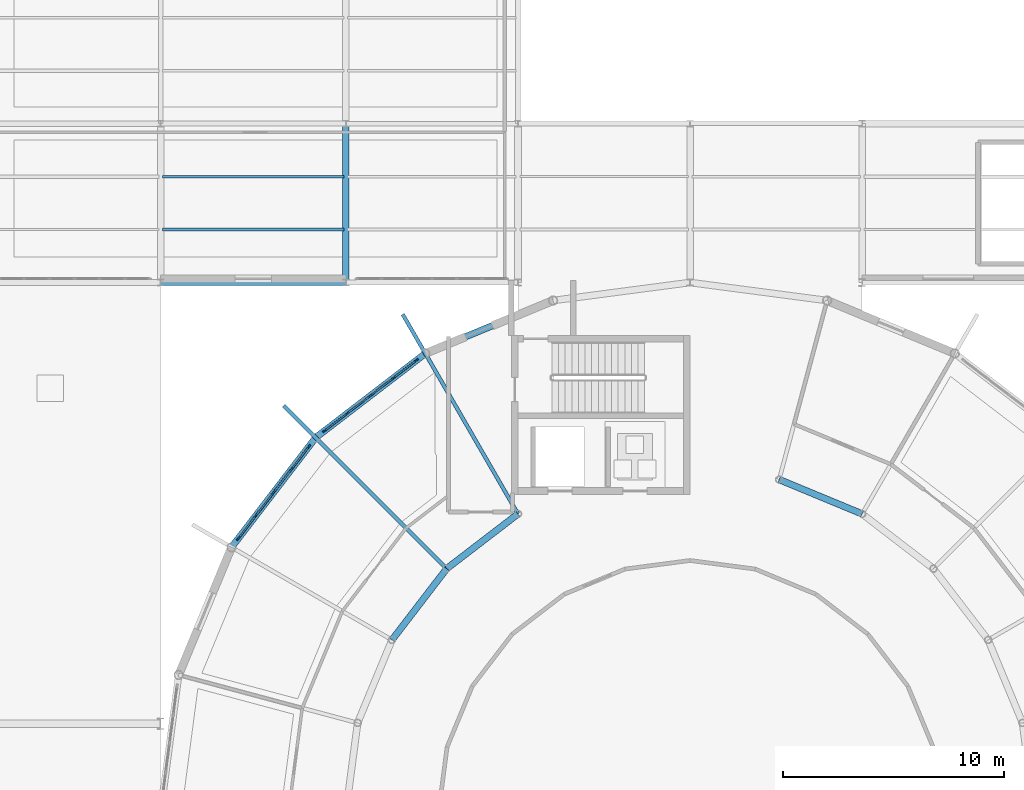
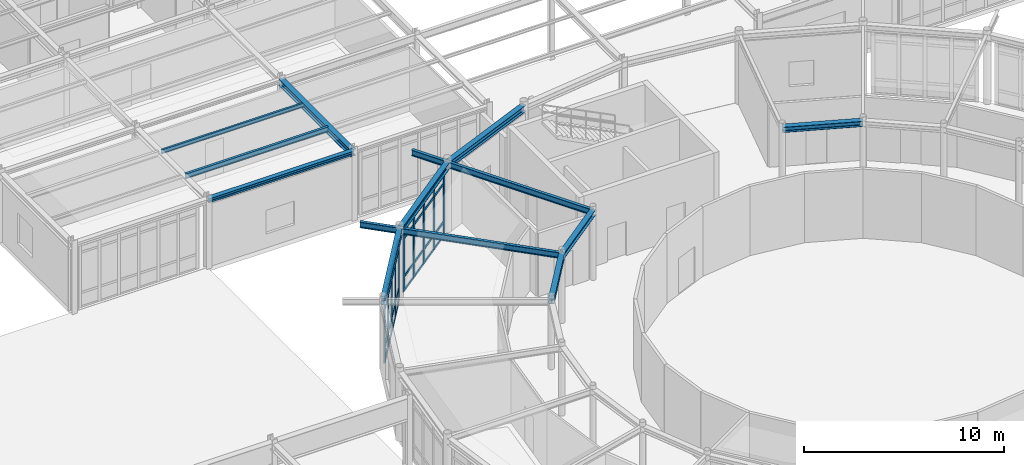
# One storey, part 44 of 101: 42 members, 12 beams, 2 elements without a shape of their own.
"""IFC4 building model written with IfcOpenShell, lengths in metres."""

from ifc_helpers import new_model, si_unit, derived_unit, direction, frame, origin, origin_2d, place, context, subcontext, project, spatial, rectangle, i_section, extrude, material, layer, layer_set, material_profile, profile_set, type_object, element, aggregate, save


model = new_model("IFC4")

# Units and contexts
model_context = context("Model", 3, precision=1e-05, world=origin(), true_north=direction((0.0, 1.0)))
body_context = subcontext(model_context, "Body", "Model", "MODEL_VIEW")
ifc_project = project(units=[si_unit("LENGTHUNIT", "METRE"), si_unit("AREAUNIT", "SQUARE_METRE"), si_unit("VOLUMEUNIT", "CUBIC_METRE"), si_unit("PLANEANGLEUNIT", "RADIAN"), si_unit("MASSUNIT", "GRAM", prefix="KILO"), derived_unit("THERMALTRANSMITTANCEUNIT", [(si_unit("POWERUNIT", "WATT"), 1), (si_unit("AREAUNIT", "SQUARE_METRE"), -1), (si_unit("THERMODYNAMICTEMPERATUREUNIT", "KELVIN"), -1)])], contexts=[model_context])

# Site, building, storey
site_placement = place(None, origin())
site = spatial("IfcSite", under=ifc_project, at=site_placement, CompositionType="ELEMENT")
building_placement = place(site_placement, origin())
building = spatial("IfcBuilding", under=site, at=building_placement, Name="Yasenodar Specialist Clinic", CompositionType="ELEMENT")
storey_placement = place(building_placement, origin())
storey = spatial("IfcBuildingStorey", under=building, at=storey_placement, Name="L00", CompositionType="ELEMENT", Elevation=0.0)

# Beams
ifc_material_1 = material(Name="Steel S355", Category="steel")
ifc_material_profile_1 = material_profile(ifc_material_1, i_section(OverallWidth=0.260009765625, OverallDepth=0.25, WebThickness=0.007568359375, FlangeThickness=0.012451171875, FilletRadius=0.02392578125, at=origin_2d()), Name="HEA 260")
ifc_profile_set_1 = profile_set([ifc_material_profile_1], Name="Steel S355")
beam_type_1 = type_object("IfcBeamType", Name="BM-HEA260", PredefinedType="BEAM", material=ifc_profile_set_1)
beam_1_placement = place(storey_placement, frame((57.0, 82.800048828125, 4.125), z_axis=(1.0, 0.0, 0.0), x_axis=(0.0, 1.0, 0.0)))
element("IfcBeam", 1, at=beam_1_placement, inside=storey, type_object=beam_type_1, Name="L00 Primary E-W Girder", PredefinedType="BEAM", context=body_context, shape_type="SweptSolid", body=[
    extrude(i_section(OverallWidth=0.260009765625, OverallDepth=0.25, WebThickness=0.007568359375, FlangeThickness=0.012451171875, FilletRadius=0.02392578125, at=origin_2d()), origin(), (0.0, 0.0, 1.0), 8.39990234375),
])
ifc_material_profile_2 = material_profile(ifc_material_1, i_section(OverallWidth=0.300048828125, OverallDepth=0.330078125, WebThickness=0.009521484375, FlangeThickness=0.0166015625, FilletRadius=0.027099609375, at=origin_2d()), Name="HEA 340")
ifc_profile_set_2 = profile_set([ifc_material_profile_2], Name="Steel S355")
beam_type_2 = type_object("IfcBeamType", Name="BM-HEA340", PredefinedType="BEAM", material=ifc_profile_set_2)
for number, where, z_axis, x_axis, name in (
    (2, (88.800048828125, 72.31005859375, 4.0849609375), (-0.92388896868, 0.382660650645, 0.0), (-0.382660650645, -0.92388896868, 0.0), "L00 Drum V1 Inner Ring Beam"),
    (3, (73.199951171875, 72.31005859375, 4.0849609375), (-0.793347704909, -0.608768773111, 0.0), (0.608768773111, -0.793347704909, 0.0), "L00 Drum V1 Inner Ring Beam"),
):
    element("IfcBeam", number, at=place(storey_placement, frame(where, z_axis=z_axis, x_axis=x_axis)), inside=storey, type_object=beam_type_2, Name=name, PredefinedType="BEAM", context=body_context, shape_type="SweptSolid", body=[
        extrude(i_section(OverallWidth=0.300048828125, OverallDepth=0.330078125, WebThickness=0.009521484375, FlangeThickness=0.0166015625, FilletRadius=0.027099609375, at=origin_2d()), origin(), (0.0, 0.0, 1.0), 4.072509765625),
    ])
beam_2_placement = place(storey_placement, frame((69.968994140625, 69.830810546875, 4.0849609375), z_axis=(-0.60875999388, -0.793354441502, 0.0), x_axis=(0.793354441502, -0.60875999388, 0.0)))
element("IfcBeam", 4, at=beam_2_placement, inside=storey, type_object=beam_type_2, Name="L00 Drum V1 Inner Ring Beam", PredefinedType="BEAM", context=body_context, shape_type="SweptSolid", body=[
    extrude(i_section(OverallWidth=0.300048828125, OverallDepth=0.330078125, WebThickness=0.009521484375, FlangeThickness=0.0166015625, FilletRadius=0.027099609375, at=origin_2d()), origin(), (0.0, 0.0, 1.0), 4.072265625),
])
ifc_material_profile_3 = material_profile(ifc_material_1, i_section(OverallWidth=0.300048828125, OverallDepth=0.389892578125, WebThickness=0.010986328125, FlangeThickness=0.01904296875, FilletRadius=0.027099609375, at=origin_2d()), Name="HEA 400")
ifc_profile_set_3 = profile_set([ifc_material_profile_3], Name="Steel S355")
beam_type_3 = type_object("IfcBeamType", Name="BM-HEA400", PredefinedType="BEAM", material=ifc_profile_set_3)
beam_3_placement = place(storey_placement, frame((74.788330078125, 81.982177734375, 4.054931640625), z_axis=(-0.9238876519, -0.382663829839, 0.0), x_axis=(0.382663829839, -0.9238876519, 0.0)))
element("IfcBeam", 5, at=beam_3_placement, inside=storey, type_object=beam_type_3, Name="L00 Drum V1 Perimeter Ring Beam", PredefinedType="BEAM", context=body_context, shape_type="SweptSolid", body=[
    extrude(i_section(OverallWidth=0.300048828125, OverallDepth=0.389892578125, WebThickness=0.010986328125, FlangeThickness=0.01904296875, FilletRadius=0.027099609375, at=origin_2d()), origin(), (0.0, 0.0, 1.0), 6.26513671875),
])
beam_4_placement = place(storey_placement, frame((69.0, 79.584716796875, 4.054931640625), z_axis=(-0.793349152542, -0.608766886551, 0.0), x_axis=(0.608766886551, -0.793349152542, 0.0)))
element("IfcBeam", 6, at=beam_4_placement, inside=storey, type_object=beam_type_3, Name="L00 Drum V1 Perimeter Ring Beam", PredefinedType="BEAM", context=body_context, shape_type="SweptSolid", body=[
    extrude(i_section(OverallWidth=0.300048828125, OverallDepth=0.389892578125, WebThickness=0.010986328125, FlangeThickness=0.01904296875, FilletRadius=0.027099609375, at=origin_2d()), origin(), (0.0, 0.0, 1.0), 6.265380859375),
])
beam_5_placement = place(storey_placement, frame((64.029296875, 75.7705078125, 4.054931640625), z_axis=(-0.608761180103, -0.793353531283, 0.0), x_axis=(0.793353531283, -0.608761180103, 0.0)))
element("IfcBeam", 7, at=beam_5_placement, inside=storey, type_object=beam_type_3, Name="L00 Drum V1 Perimeter Ring Beam", PredefinedType="BEAM", context=body_context, shape_type="SweptSolid", body=[
    extrude(i_section(OverallWidth=0.300048828125, OverallDepth=0.389892578125, WebThickness=0.010986328125, FlangeThickness=0.01904296875, FilletRadius=0.027099609375, at=origin_2d()), origin(), (0.0, 0.0, 1.0), 6.26513671875),
])
ifc_material_profile_4 = material_profile(ifc_material_1, i_section(OverallWidth=0.300048828125, OverallDepth=0.39990234375, WebThickness=0.013427734375, FlangeThickness=0.02392578125, FilletRadius=0.027099609375, at=origin_2d()), Name="HEB 400")
ifc_profile_set_4 = profile_set([ifc_material_profile_4], Name="Steel S355")
beam_type_4 = type_object("IfcBeamType", Name="BM-HEB400", PredefinedType="BEAM", material=ifc_profile_set_4)
beam_6_placement = place(storey_placement, frame((65.39990234375, 82.800048828125, 4.050048828125), z_axis=(0.0, 1.0, 0.0), x_axis=(-1.0, 0.0, 0.0)))
element("IfcBeam", 8, at=beam_6_placement, inside=storey, type_object=beam_type_4, Name="L00 Primary N-S Girder", PredefinedType="BEAM", context=body_context, shape_type="SweptSolid", body=[
    extrude(i_section(OverallWidth=0.300048828125, OverallDepth=0.39990234375, WebThickness=0.013427734375, FlangeThickness=0.02392578125, FilletRadius=0.027099609375, at=origin_2d()), origin(), (0.0, 0.0, 1.0), 7.199951171875),
])
ifc_material_profile_5 = material_profile(ifc_material_1, i_section(OverallWidth=0.169921875, OverallDepth=0.360107421875, WebThickness=0.008056640625, FlangeThickness=0.0126953125, FilletRadius=0.01806640625, at=origin_2d()), Name="IPE 360")
ifc_profile_set_5 = profile_set([ifc_material_profile_5], Name="Steel S355")
beam_type_5 = type_object("IfcBeamType", Name="BM-IPE360", PredefinedType="BEAM", material=ifc_profile_set_5)
for number, where, z_axis, x_axis, name in (
    (9, (73.199951171875, 72.31005859375, 4.070068359375), (-0.499986032603, 0.866033467715, 0.0), (-0.866033467715, -0.499986032603, 0.0), "L00 Drum V1 Radial Back-Spanned Cantilever Beam"),
    (10, (69.968994140625, 69.830810546875, 4.070068359375), (-0.707095099746, 0.707118462434, 0.0), (-0.707118462434, -0.707095099746, 0.0), "L00 Drum V1 Radial Back-Spanned Cantilever Beam"),
):
    element("IfcBeam", number, at=place(storey_placement, frame(where, z_axis=z_axis, x_axis=x_axis)), inside=storey, type_object=beam_type_5, Name=name, PredefinedType="BEAM", context=body_context, shape_type="SweptSolid", body=[
        extrude(i_section(OverallWidth=0.169921875, OverallDepth=0.360107421875, WebThickness=0.008056640625, FlangeThickness=0.0126953125, FilletRadius=0.01806640625, at=origin_2d()), origin(), (0.0, 0.0, 1.0), 10.449951171875),
    ])

# Curtain wall, members
ifc_material_2 = material(Name="Bronze Anodized Aluminium and Triple Low-E Glass", Category="aluminium")
ifc_layer = layer(ifc_material_2, 0.1669921875)
ifc_layer_set = layer_set([ifc_layer], Name="Bronze Anodized Aluminium and Triple Low-E Glass")
curtain_wall_type = type_object("IfcCurtainWallType", Name="CW-SYS-01", PredefinedType="USERDEFINED", material=ifc_layer_set)
curtain_wall_1_placement = place(storey_placement, origin())
curtain_wall_1 = element("IfcCurtainWall", 11, at=curtain_wall_1_placement, inside=storey, type_object=curtain_wall_type, Name="L00 Unitised Curtain Wall 004", ObjectType="UNITISED CURTAIN WALL", PredefinedType="USERDEFINED")
ifc_material_3 = material(Name="Bronze Anodized Aluminium", Category="aluminium")
ifc_material_profile_6 = material_profile(ifc_material_3, rectangle(XDim=0.070068359375, YDim=0.199951171875, at=origin_2d()), Name="CW-MULL 70x200")
ifc_profile_set_6 = profile_set([ifc_material_profile_6], Name="Bronze Anodized Aluminium")
member_type_1 = type_object("IfcMemberType", Name="CW-MULL-200", PredefinedType="MULLION", material=ifc_profile_set_6)
member_1_placement = place(storey_placement, frame((64.43798828125, 76.083984375, 0.0), z_axis=(0.0, 0.0, 1.0), x_axis=(-0.608752021844, 0.793360558574, 0.0)))
member_1 = element("IfcMember", 12, at=member_1_placement, type_object=member_type_1, Name="CW-01 mullion 1", PredefinedType="MULLION", context=body_context, shape_type="SweptSolid", body=[
    extrude(rectangle(XDim=0.070068359375, YDim=0.199951171875, at=origin_2d()), origin(), (0.0, 0.0, 1.0), 3.837890625),
])
member_2_placement = place(storey_placement, frame((65.46240234375, 76.8701171875, 0.0), z_axis=(0.0, 0.0, 1.0), x_axis=(-0.608752021844, 0.793360558574, 0.0)))
member_2 = element("IfcMember", 13, at=member_2_placement, type_object=member_type_1, Name="CW-01 mullion 2", PredefinedType="MULLION", context=body_context, shape_type="SweptSolid", body=[
    extrude(rectangle(XDim=0.070068359375, YDim=0.199951171875, at=origin_2d()), origin(), (0.0, 0.0, 1.0), 3.837890625),
])
member_3_placement = place(storey_placement, frame((66.5146484375, 77.677490234375, 0.0), z_axis=(0.0, 0.0, 1.0), x_axis=(-0.608752021844, 0.793360558574, 0.0)))
member_3 = element("IfcMember", 14, at=member_3_placement, type_object=member_type_1, Name="CW-01 mullion 3", PredefinedType="MULLION", context=body_context, shape_type="SweptSolid", body=[
    extrude(rectangle(XDim=0.070068359375, YDim=0.199951171875, at=origin_2d()), origin(), (0.0, 0.0, 1.0), 3.837890625),
])
member_4_placement = place(storey_placement, frame((67.56689453125, 78.485107421875, 0.0), z_axis=(0.0, 0.0, 1.0), x_axis=(-0.608752021844, 0.793360558574, 0.0)))
member_4 = element("IfcMember", 15, at=member_4_placement, type_object=member_type_1, Name="CW-01 mullion 4", PredefinedType="MULLION", context=body_context, shape_type="SweptSolid", body=[
    extrude(rectangle(XDim=0.070068359375, YDim=0.199951171875, at=origin_2d()), origin(), (0.0, 0.0, 1.0), 3.837890625),
])
member_5_placement = place(storey_placement, frame((68.591552734375, 79.27099609375, 0.0), z_axis=(0.0, 0.0, 1.0), x_axis=(-0.608752021844, 0.793360558574, 0.0)))
member_5 = element("IfcMember", 16, at=member_5_placement, type_object=member_type_1, Name="CW-01 mullion 5", PredefinedType="MULLION", context=body_context, shape_type="SweptSolid", body=[
    extrude(rectangle(XDim=0.070068359375, YDim=0.199951171875, at=origin_2d()), origin(), (0.0, 0.0, 1.0), 3.837890625),
])

curtain_wall_2_placement = place(storey_placement, origin())
curtain_wall_2 = element("IfcCurtainWall", 17, at=curtain_wall_2_placement, inside=storey, type_object=curtain_wall_type, Name="L00 Unitised Curtain Wall 005", ObjectType="UNITISED CURTAIN WALL", PredefinedType="USERDEFINED")
ifc_material_profile_7 = material_profile(ifc_material_3, rectangle(XDim=0.074951171875, YDim=0.22509765625, at=origin_2d()), Name="CW-MULL 75x225")
ifc_profile_set_7 = profile_set([ifc_material_profile_7], Name="Bronze Anodized Aluminium")
member_type_2 = type_object("IfcMemberType", Name="CW-MULL-225", PredefinedType="MULLION", material=ifc_profile_set_7)
member_6_placement = place(storey_placement, frame((60.530517578125, 71.21044921875, 0.0), z_axis=(0.0, 0.0, 1.0), x_axis=(-0.793360558574, 0.608752021844, 0.0)))
member_6 = element("IfcMember", 18, at=member_6_placement, type_object=member_type_2, Name="CW-01 mullion 1", PredefinedType="MULLION", context=body_context, shape_type="SweptSolid", body=[
    extrude(rectangle(XDim=0.074951171875, YDim=0.22509765625, at=origin_2d()), origin(), (0.0, 0.0, 1.0), 3.837890625),
])
member_7_placement = place(storey_placement, frame((61.31494140625, 72.233154296875, 0.0), z_axis=(0.0, 0.0, 1.0), x_axis=(-0.793360558574, 0.608752021844, 0.0)))
member_7 = element("IfcMember", 19, at=member_7_placement, type_object=member_type_2, Name="CW-01 mullion 2", PredefinedType="MULLION", context=body_context, shape_type="SweptSolid", body=[
    extrude(rectangle(XDim=0.074951171875, YDim=0.22509765625, at=origin_2d()), origin(), (0.0, 0.0, 1.0), 3.837890625),
])
member_8_placement = place(storey_placement, frame((62.122314453125, 73.285400390625, 0.0), z_axis=(0.0, 0.0, 1.0), x_axis=(-0.793360558574, 0.608752021844, 0.0)))
member_8 = element("IfcMember", 20, at=member_8_placement, type_object=member_type_2, Name="CW-01 mullion 3", PredefinedType="MULLION", context=body_context, shape_type="SweptSolid", body=[
    extrude(rectangle(XDim=0.074951171875, YDim=0.22509765625, at=origin_2d()), origin(), (0.0, 0.0, 1.0), 3.837890625),
])
member_9_placement = place(storey_placement, frame((62.9296875, 74.337646484375, 0.0), z_axis=(0.0, 0.0, 1.0), x_axis=(-0.793360558574, 0.608752021844, 0.0)))
member_9 = element("IfcMember", 21, at=member_9_placement, type_object=member_type_2, Name="CW-01 mullion 4", PredefinedType="MULLION", context=body_context, shape_type="SweptSolid", body=[
    extrude(rectangle(XDim=0.074951171875, YDim=0.22509765625, at=origin_2d()), origin(), (0.0, 0.0, 1.0), 3.837890625),
])
member_10_placement = place(storey_placement, frame((63.71435546875, 75.360107421875, 0.0), z_axis=(0.0, 0.0, 1.0), x_axis=(-0.793360558574, 0.608752021844, 0.0)))
member_10 = element("IfcMember", 22, at=member_10_placement, type_object=member_type_2, Name="CW-01 mullion 5", PredefinedType="MULLION", context=body_context, shape_type="SweptSolid", body=[
    extrude(rectangle(XDim=0.074951171875, YDim=0.22509765625, at=origin_2d()), origin(), (0.0, 0.0, 1.0), 3.837890625),
])

# Member
ifc_material_profile_8 = material_profile(ifc_material_3, rectangle(XDim=0.070068359375, YDim=0.14990234375, at=origin_2d()), Name="CW-TRAN 70x150")
ifc_profile_set_8 = profile_set([ifc_material_profile_8], Name="Bronze Anodized Aluminium")
member_type_3 = type_object("IfcMemberType", Name="CW-TRAN-150", PredefinedType="USERDEFINED", material=ifc_profile_set_8)
member_11_placement = place(storey_placement, frame((64.4658203125, 76.10546875, 0.034912109375), z_axis=(0.793329536598, 0.60879244933, 0.0), x_axis=(-0.60879244933, 0.793329536598, 0.0)))
member_11 = element("IfcMember", 23, at=member_11_placement, type_object=member_type_3, Name="CW-01 transom 1.1", ObjectType="TRANSOM", PredefinedType="USERDEFINED", context=body_context, shape_type="SweptSolid", body=[
    extrude(rectangle(XDim=0.070068359375, YDim=0.14990234375, at=origin_2d()), origin(), (0.0, 0.0, 1.0), 1.22119140625),
])

member_12_placement = place(storey_placement, frame((64.4658203125, 76.10546875, 0.89990234375), z_axis=(0.793329536598, 0.60879244933, 0.0), x_axis=(-0.60879244933, 0.793329536598, 0.0)))
member_12 = element("IfcMember", 24, at=member_12_placement, type_object=member_type_3, Name="CW-01 transom 1.2", ObjectType="TRANSOM", PredefinedType="USERDEFINED", context=body_context, shape_type="SweptSolid", body=[
    extrude(rectangle(XDim=0.070068359375, YDim=0.14990234375, at=origin_2d()), origin(), (0.0, 0.0, 1.0), 1.22119140625),
])

member_13_placement = place(storey_placement, frame((64.4658203125, 76.10546875, 3.238037109375), z_axis=(0.793329536598, 0.60879244933, 0.0), x_axis=(-0.60879244933, 0.793329536598, 0.0)))
member_13 = element("IfcMember", 25, at=member_13_placement, type_object=member_type_3, Name="CW-01 transom 1.3", ObjectType="TRANSOM", PredefinedType="USERDEFINED", context=body_context, shape_type="SweptSolid", body=[
    extrude(rectangle(XDim=0.070068359375, YDim=0.14990234375, at=origin_2d()), origin(), (0.0, 0.0, 1.0), 1.22119140625),
])

member_14_placement = place(storey_placement, frame((64.4658203125, 76.10546875, 3.802978515625), z_axis=(0.793329536598, 0.60879244933, 0.0), x_axis=(-0.60879244933, 0.793329536598, 0.0)))
member_14 = element("IfcMember", 26, at=member_14_placement, type_object=member_type_3, Name="CW-01 transom 1.4", ObjectType="TRANSOM", PredefinedType="USERDEFINED", context=body_context, shape_type="SweptSolid", body=[
    extrude(rectangle(XDim=0.070068359375, YDim=0.14990234375, at=origin_2d()), origin(), (0.0, 0.0, 1.0), 1.22119140625),
])

member_15_placement = place(storey_placement, frame((65.490234375, 76.8916015625, 0.034912109375), z_axis=(0.793374813585, 0.608733443446, 0.0), x_axis=(-0.608733443446, 0.793374813585, 0.0)))
member_15 = element("IfcMember", 27, at=member_15_placement, type_object=member_type_3, Name="CW-01 transom 2.1", ObjectType="TRANSOM", PredefinedType="USERDEFINED", context=body_context, shape_type="SweptSolid", body=[
    extrude(rectangle(XDim=0.070068359375, YDim=0.14990234375, at=origin_2d()), origin(), (0.0, 0.0, 1.0), 1.256103515625),
])

member_16_placement = place(storey_placement, frame((65.490234375, 76.8916015625, 0.89990234375), z_axis=(0.793374813585, 0.608733443446, 0.0), x_axis=(-0.608733443446, 0.793374813585, 0.0)))
member_16 = element("IfcMember", 28, at=member_16_placement, type_object=member_type_3, Name="CW-01 transom 2.2", ObjectType="TRANSOM", PredefinedType="USERDEFINED", context=body_context, shape_type="SweptSolid", body=[
    extrude(rectangle(XDim=0.070068359375, YDim=0.14990234375, at=origin_2d()), origin(), (0.0, 0.0, 1.0), 1.256103515625),
])

member_17_placement = place(storey_placement, frame((65.490234375, 76.8916015625, 3.238037109375), z_axis=(0.793374813585, 0.608733443446, 0.0), x_axis=(-0.608733443446, 0.793374813585, 0.0)))
member_17 = element("IfcMember", 29, at=member_17_placement, type_object=member_type_3, Name="CW-01 transom 2.3", ObjectType="TRANSOM", PredefinedType="USERDEFINED", context=body_context, shape_type="SweptSolid", body=[
    extrude(rectangle(XDim=0.070068359375, YDim=0.14990234375, at=origin_2d()), origin(), (0.0, 0.0, 1.0), 1.256103515625),
])

member_18_placement = place(storey_placement, frame((65.490234375, 76.8916015625, 3.802978515625), z_axis=(0.793374813585, 0.608733443446, 0.0), x_axis=(-0.608733443446, 0.793374813585, 0.0)))
member_18 = element("IfcMember", 30, at=member_18_placement, type_object=member_type_3, Name="CW-01 transom 2.4", ObjectType="TRANSOM", PredefinedType="USERDEFINED", context=body_context, shape_type="SweptSolid", body=[
    extrude(rectangle(XDim=0.070068359375, YDim=0.14990234375, at=origin_2d()), origin(), (0.0, 0.0, 1.0), 1.256103515625),
])

member_19_placement = place(storey_placement, frame((66.54248046875, 77.698974609375, 0.034912109375), z_axis=(0.793374813585, 0.608733443446, 0.0), x_axis=(-0.608733443446, 0.793374813585, 0.0)))
member_19 = element("IfcMember", 31, at=member_19_placement, type_object=member_type_3, Name="CW-01 transom 3.1", ObjectType="TRANSOM", PredefinedType="USERDEFINED", context=body_context, shape_type="SweptSolid", body=[
    extrude(rectangle(XDim=0.070068359375, YDim=0.14990234375, at=origin_2d()), origin(), (0.0, 0.0, 1.0), 1.256103515625),
])

member_20_placement = place(storey_placement, frame((66.54248046875, 77.698974609375, 0.89990234375), z_axis=(0.793374813585, 0.608733443446, 0.0), x_axis=(-0.608733443446, 0.793374813585, 0.0)))
member_20 = element("IfcMember", 32, at=member_20_placement, type_object=member_type_3, Name="CW-01 transom 3.2", ObjectType="TRANSOM", PredefinedType="USERDEFINED", context=body_context, shape_type="SweptSolid", body=[
    extrude(rectangle(XDim=0.070068359375, YDim=0.14990234375, at=origin_2d()), origin(), (0.0, 0.0, 1.0), 1.256103515625),
])

member_21_placement = place(storey_placement, frame((66.54248046875, 77.698974609375, 3.238037109375), z_axis=(0.793374813585, 0.608733443446, 0.0), x_axis=(-0.608733443446, 0.793374813585, 0.0)))
member_21 = element("IfcMember", 33, at=member_21_placement, type_object=member_type_3, Name="CW-01 transom 3.3", ObjectType="TRANSOM", PredefinedType="USERDEFINED", context=body_context, shape_type="SweptSolid", body=[
    extrude(rectangle(XDim=0.070068359375, YDim=0.14990234375, at=origin_2d()), origin(), (0.0, 0.0, 1.0), 1.256103515625),
])

member_22_placement = place(storey_placement, frame((66.54248046875, 77.698974609375, 3.802978515625), z_axis=(0.793374813585, 0.608733443446, 0.0), x_axis=(-0.608733443446, 0.793374813585, 0.0)))
member_22 = element("IfcMember", 34, at=member_22_placement, type_object=member_type_3, Name="CW-01 transom 3.4", ObjectType="TRANSOM", PredefinedType="USERDEFINED", context=body_context, shape_type="SweptSolid", body=[
    extrude(rectangle(XDim=0.070068359375, YDim=0.14990234375, at=origin_2d()), origin(), (0.0, 0.0, 1.0), 1.256103515625),
])

member_23_placement = place(storey_placement, frame((67.5947265625, 78.50634765625, 0.034912109375), z_axis=(0.793403619358, 0.608695898449, 0.0), x_axis=(-0.608695898449, 0.793403619358, 0.0)))
member_23 = element("IfcMember", 35, at=member_23_placement, type_object=member_type_3, Name="CW-01 transom 4.1", ObjectType="TRANSOM", PredefinedType="USERDEFINED", context=body_context, shape_type="SweptSolid", body=[
    extrude(rectangle(XDim=0.070068359375, YDim=0.14990234375, at=origin_2d()), origin(), (0.0, 0.0, 1.0), 1.22119140625),
])

member_24_placement = place(storey_placement, frame((67.5947265625, 78.50634765625, 0.89990234375), z_axis=(0.793403619358, 0.608695898449, 0.0), x_axis=(-0.608695898449, 0.793403619358, 0.0)))
member_24 = element("IfcMember", 36, at=member_24_placement, type_object=member_type_3, Name="CW-01 transom 4.2", ObjectType="TRANSOM", PredefinedType="USERDEFINED", context=body_context, shape_type="SweptSolid", body=[
    extrude(rectangle(XDim=0.070068359375, YDim=0.14990234375, at=origin_2d()), origin(), (0.0, 0.0, 1.0), 1.22119140625),
])

member_25_placement = place(storey_placement, frame((67.5947265625, 78.50634765625, 3.238037109375), z_axis=(0.793403619358, 0.608695898449, 0.0), x_axis=(-0.608695898449, 0.793403619358, 0.0)))
member_25 = element("IfcMember", 37, at=member_25_placement, type_object=member_type_3, Name="CW-01 transom 4.3", ObjectType="TRANSOM", PredefinedType="USERDEFINED", context=body_context, shape_type="SweptSolid", body=[
    extrude(rectangle(XDim=0.070068359375, YDim=0.14990234375, at=origin_2d()), origin(), (0.0, 0.0, 1.0), 1.22119140625),
])

member_26_placement = place(storey_placement, frame((67.5947265625, 78.50634765625, 3.802978515625), z_axis=(0.793403619358, 0.608695898449, 0.0), x_axis=(-0.608695898449, 0.793403619358, 0.0)))
member_26 = element("IfcMember", 38, at=member_26_placement, type_object=member_type_3, Name="CW-01 transom 4.4", ObjectType="TRANSOM", PredefinedType="USERDEFINED", context=body_context, shape_type="SweptSolid", body=[
    extrude(rectangle(XDim=0.070068359375, YDim=0.14990234375, at=origin_2d()), origin(), (0.0, 0.0, 1.0), 1.22119140625),
])

aggregate(curtain_wall_1, [member_1, member_2, member_3, member_4, member_5, member_11, member_12, member_13, member_14, member_15, member_16, member_17, member_18, member_19, member_20, member_21, member_22, member_23, member_24, member_25, member_26])

ifc_material_profile_9 = material_profile(ifc_material_3, rectangle(XDim=0.074951171875, YDim=0.175048828125, at=origin_2d()), Name="CW-TRAN 75x175")
ifc_profile_set_9 = profile_set([ifc_material_profile_9], Name="Bronze Anodized Aluminium")
member_type_4 = type_object("IfcMemberType", Name="CW-TRAN-175", PredefinedType="USERDEFINED", material=ifc_profile_set_9)
member_27_placement = place(storey_placement, frame((60.55322265625, 71.240234375, 0.03759765625), z_axis=(0.608748142328, 0.793363535343, 0.0), x_axis=(-0.793363535343, 0.608748142328, 0.0)))
member_27 = element("IfcMember", 39, at=member_27_placement, type_object=member_type_4, Name="CW-01 transom 1.1", ObjectType="TRANSOM", PredefinedType="USERDEFINED", context=body_context, shape_type="SweptSolid", body=[
    extrude(rectangle(XDim=0.074951171875, YDim=0.175048828125, at=origin_2d()), origin(), (0.0, 0.0, 1.0), 1.2138671875),
])

member_28_placement = place(storey_placement, frame((60.55322265625, 71.240234375, 0.89990234375), z_axis=(0.608748142328, 0.793363535343, 0.0), x_axis=(-0.793363535343, 0.608748142328, 0.0)))
member_28 = element("IfcMember", 40, at=member_28_placement, type_object=member_type_4, Name="CW-01 transom 1.2", ObjectType="TRANSOM", PredefinedType="USERDEFINED", context=body_context, shape_type="SweptSolid", body=[
    extrude(rectangle(XDim=0.074951171875, YDim=0.175048828125, at=origin_2d()), origin(), (0.0, 0.0, 1.0), 1.2138671875),
])

member_29_placement = place(storey_placement, frame((60.55322265625, 71.240234375, 3.238037109375), z_axis=(0.608748142328, 0.793363535343, 0.0), x_axis=(-0.793363535343, 0.608748142328, 0.0)))
member_29 = element("IfcMember", 41, at=member_29_placement, type_object=member_type_4, Name="CW-01 transom 1.3", ObjectType="TRANSOM", PredefinedType="USERDEFINED", context=body_context, shape_type="SweptSolid", body=[
    extrude(rectangle(XDim=0.074951171875, YDim=0.175048828125, at=origin_2d()), origin(), (0.0, 0.0, 1.0), 1.2138671875),
])

member_30_placement = place(storey_placement, frame((60.55322265625, 71.240234375, 3.800537109375), z_axis=(0.608748142328, 0.793363535343, 0.0), x_axis=(-0.793363535343, 0.608748142328, 0.0)))
member_30 = element("IfcMember", 42, at=member_30_placement, type_object=member_type_4, Name="CW-01 transom 1.4", ObjectType="TRANSOM", PredefinedType="USERDEFINED", context=body_context, shape_type="SweptSolid", body=[
    extrude(rectangle(XDim=0.074951171875, YDim=0.175048828125, at=origin_2d()), origin(), (0.0, 0.0, 1.0), 1.2138671875),
])

member_31_placement = place(storey_placement, frame((61.337890625, 72.2626953125, 0.03759765625), z_axis=(0.608673156435, 0.793421066417, 0.0), x_axis=(-0.793421066417, 0.608673156435, 0.0)))
member_31 = element("IfcMember", 43, at=member_31_placement, type_object=member_type_4, Name="CW-01 transom 2.1", ObjectType="TRANSOM", PredefinedType="USERDEFINED", context=body_context, shape_type="SweptSolid", body=[
    extrude(rectangle(XDim=0.074951171875, YDim=0.175048828125, at=origin_2d()), origin(), (0.0, 0.0, 1.0), 1.25146484375),
])

member_32_placement = place(storey_placement, frame((61.337890625, 72.2626953125, 0.89990234375), z_axis=(0.608673156435, 0.793421066417, 0.0), x_axis=(-0.793421066417, 0.608673156435, 0.0)))
member_32 = element("IfcMember", 44, at=member_32_placement, type_object=member_type_4, Name="CW-01 transom 2.2", ObjectType="TRANSOM", PredefinedType="USERDEFINED", context=body_context, shape_type="SweptSolid", body=[
    extrude(rectangle(XDim=0.074951171875, YDim=0.175048828125, at=origin_2d()), origin(), (0.0, 0.0, 1.0), 1.25146484375),
])

member_33_placement = place(storey_placement, frame((61.337890625, 72.2626953125, 3.238037109375), z_axis=(0.608673156435, 0.793421066417, 0.0), x_axis=(-0.793421066417, 0.608673156435, 0.0)))
member_33 = element("IfcMember", 45, at=member_33_placement, type_object=member_type_4, Name="CW-01 transom 2.3", ObjectType="TRANSOM", PredefinedType="USERDEFINED", context=body_context, shape_type="SweptSolid", body=[
    extrude(rectangle(XDim=0.074951171875, YDim=0.175048828125, at=origin_2d()), origin(), (0.0, 0.0, 1.0), 1.25146484375),
])

member_34_placement = place(storey_placement, frame((61.337890625, 72.2626953125, 3.800537109375), z_axis=(0.608673156435, 0.793421066417, 0.0), x_axis=(-0.793421066417, 0.608673156435, 0.0)))
member_34 = element("IfcMember", 46, at=member_34_placement, type_object=member_type_4, Name="CW-01 transom 2.4", ObjectType="TRANSOM", PredefinedType="USERDEFINED", context=body_context, shape_type="SweptSolid", body=[
    extrude(rectangle(XDim=0.074951171875, YDim=0.175048828125, at=origin_2d()), origin(), (0.0, 0.0, 1.0), 1.25146484375),
])

member_35_placement = place(storey_placement, frame((62.145263671875, 73.31494140625, 0.03759765625), z_axis=(0.608673156435, 0.793421066417, 0.0), x_axis=(-0.793421066417, 0.608673156435, 0.0)))
member_35 = element("IfcMember", 47, at=member_35_placement, type_object=member_type_4, Name="CW-01 transom 3.1", ObjectType="TRANSOM", PredefinedType="USERDEFINED", context=body_context, shape_type="SweptSolid", body=[
    extrude(rectangle(XDim=0.074951171875, YDim=0.175048828125, at=origin_2d()), origin(), (0.0, 0.0, 1.0), 1.25146484375),
])

member_36_placement = place(storey_placement, frame((62.145263671875, 73.31494140625, 0.89990234375), z_axis=(0.608673156435, 0.793421066417, 0.0), x_axis=(-0.793421066417, 0.608673156435, 0.0)))
member_36 = element("IfcMember", 48, at=member_36_placement, type_object=member_type_4, Name="CW-01 transom 3.2", ObjectType="TRANSOM", PredefinedType="USERDEFINED", context=body_context, shape_type="SweptSolid", body=[
    extrude(rectangle(XDim=0.074951171875, YDim=0.175048828125, at=origin_2d()), origin(), (0.0, 0.0, 1.0), 1.25146484375),
])

member_37_placement = place(storey_placement, frame((62.145263671875, 73.31494140625, 3.238037109375), z_axis=(0.608673156435, 0.793421066417, 0.0), x_axis=(-0.793421066417, 0.608673156435, 0.0)))
member_37 = element("IfcMember", 49, at=member_37_placement, type_object=member_type_4, Name="CW-01 transom 3.3", ObjectType="TRANSOM", PredefinedType="USERDEFINED", context=body_context, shape_type="SweptSolid", body=[
    extrude(rectangle(XDim=0.074951171875, YDim=0.175048828125, at=origin_2d()), origin(), (0.0, 0.0, 1.0), 1.25146484375),
])

member_38_placement = place(storey_placement, frame((62.145263671875, 73.31494140625, 3.800537109375), z_axis=(0.608673156435, 0.793421066417, 0.0), x_axis=(-0.793421066417, 0.608673156435, 0.0)))
member_38 = element("IfcMember", 50, at=member_38_placement, type_object=member_type_4, Name="CW-01 transom 3.4", ObjectType="TRANSOM", PredefinedType="USERDEFINED", context=body_context, shape_type="SweptSolid", body=[
    extrude(rectangle(XDim=0.074951171875, YDim=0.175048828125, at=origin_2d()), origin(), (0.0, 0.0, 1.0), 1.25146484375),
])

member_39_placement = place(storey_placement, frame((62.95263671875, 74.3671875, 0.03759765625), z_axis=(0.608748142328, 0.793363535343, 0.0), x_axis=(-0.793363535343, 0.608748142328, 0.0)))
member_39 = element("IfcMember", 51, at=member_39_placement, type_object=member_type_4, Name="CW-01 transom 4.1", ObjectType="TRANSOM", PredefinedType="USERDEFINED", context=body_context, shape_type="SweptSolid", body=[
    extrude(rectangle(XDim=0.074951171875, YDim=0.175048828125, at=origin_2d()), origin(), (0.0, 0.0, 1.0), 1.2138671875),
])

member_40_placement = place(storey_placement, frame((62.95263671875, 74.3671875, 0.89990234375), z_axis=(0.608748142328, 0.793363535343, 0.0), x_axis=(-0.793363535343, 0.608748142328, 0.0)))
member_40 = element("IfcMember", 52, at=member_40_placement, type_object=member_type_4, Name="CW-01 transom 4.2", ObjectType="TRANSOM", PredefinedType="USERDEFINED", context=body_context, shape_type="SweptSolid", body=[
    extrude(rectangle(XDim=0.074951171875, YDim=0.175048828125, at=origin_2d()), origin(), (0.0, 0.0, 1.0), 1.2138671875),
])

member_41_placement = place(storey_placement, frame((62.95263671875, 74.3671875, 3.238037109375), z_axis=(0.608748142328, 0.793363535343, 0.0), x_axis=(-0.793363535343, 0.608748142328, 0.0)))
member_41 = element("IfcMember", 53, at=member_41_placement, type_object=member_type_4, Name="CW-01 transom 4.3", ObjectType="TRANSOM", PredefinedType="USERDEFINED", context=body_context, shape_type="SweptSolid", body=[
    extrude(rectangle(XDim=0.074951171875, YDim=0.175048828125, at=origin_2d()), origin(), (0.0, 0.0, 1.0), 1.2138671875),
])

member_42_placement = place(storey_placement, frame((62.95263671875, 74.3671875, 3.800537109375), z_axis=(0.608748142328, 0.793363535343, 0.0), x_axis=(-0.793363535343, 0.608748142328, 0.0)))
member_42 = element("IfcMember", 54, at=member_42_placement, type_object=member_type_4, Name="CW-01 transom 4.4", ObjectType="TRANSOM", PredefinedType="USERDEFINED", context=body_context, shape_type="SweptSolid", body=[
    extrude(rectangle(XDim=0.074951171875, YDim=0.175048828125, at=origin_2d()), origin(), (0.0, 0.0, 1.0), 1.2138671875),
])

aggregate(curtain_wall_2, [member_6, member_7, member_8, member_9, member_10, member_27, member_28, member_29, member_30, member_31, member_32, member_33, member_34, member_35, member_36, member_37, member_38, member_39, member_40, member_41, member_42])

# Beams
ifc_material_profile_10 = material_profile(ifc_material_1, i_section(OverallWidth=0.1201171875, OverallDepth=0.239990234375, WebThickness=0.006103515625, FlangeThickness=0.009765625, FilletRadius=0.014892578125, at=origin_2d()), Name="IPE 240")
ifc_profile_set_10 = profile_set([ifc_material_profile_10], Name="Steel S355")
beam_type_6 = type_object("IfcBeamType", Name="JS-IPE240", PredefinedType="JOIST", material=ifc_profile_set_10)
beam_7_placement = place(storey_placement, frame((57.080078125, 87.60009765625, 4.1298828125), z_axis=(1.0, 0.0, 0.0), x_axis=(0.0, 1.0, 0.0)))
element("IfcBeam", 55, at=beam_7_placement, inside=storey, type_object=beam_type_6, Name="L00 Composite Floor Joist", PredefinedType="JOIST", context=body_context, shape_type="SweptSolid", body=[
    extrude(i_section(OverallWidth=0.1201171875, OverallDepth=0.239990234375, WebThickness=0.006103515625, FlangeThickness=0.009765625, FilletRadius=0.014892578125, at=origin_2d()), origin(), (0.0, 0.0, 1.0), 8.239990234375),
])
ifc_material_profile_11 = material_profile(ifc_material_1, i_section(OverallWidth=0.14990234375, OverallDepth=0.300048828125, WebThickness=0.007080078125, FlangeThickness=0.0107421875, FilletRadius=0.014892578125, at=origin_2d()), Name="IPE 300")
ifc_profile_set_11 = profile_set([ifc_material_profile_11], Name="Steel S355")
beam_type_7 = type_object("IfcBeamType", Name="JS-IPE300", PredefinedType="JOIST", material=ifc_profile_set_11)
beam_8_placement = place(storey_placement, frame((57.080078125, 85.199951171875, 4.10009765625), z_axis=(1.0, 0.0, 0.0), x_axis=(0.0, 1.0, 0.0)))
element("IfcBeam", 56, at=beam_8_placement, inside=storey, type_object=beam_type_7, Name="L00 Composite Floor Joist", PredefinedType="JOIST", context=body_context, shape_type="SweptSolid", body=[
    extrude(i_section(OverallWidth=0.14990234375, OverallDepth=0.300048828125, WebThickness=0.007080078125, FlangeThickness=0.0107421875, FilletRadius=0.014892578125, at=origin_2d()), origin(), (0.0, 0.0, 1.0), 8.239990234375),
])

save(model, "model.ifc")
